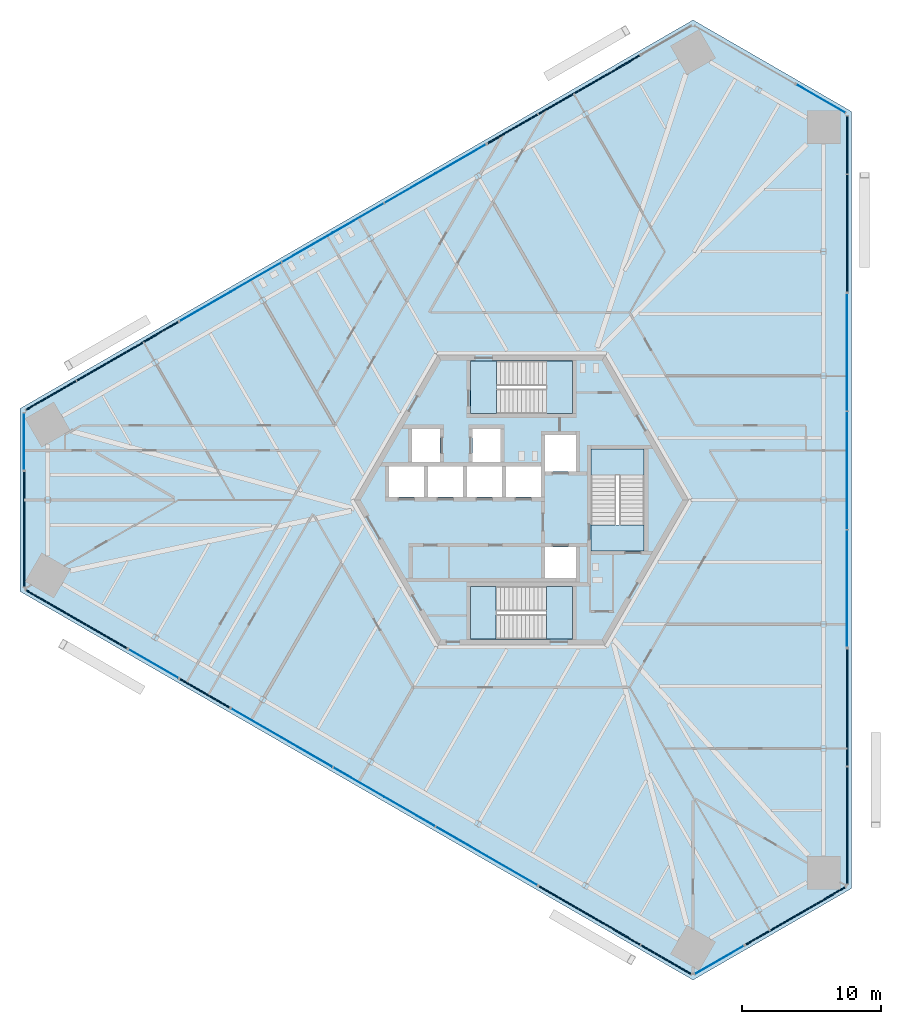
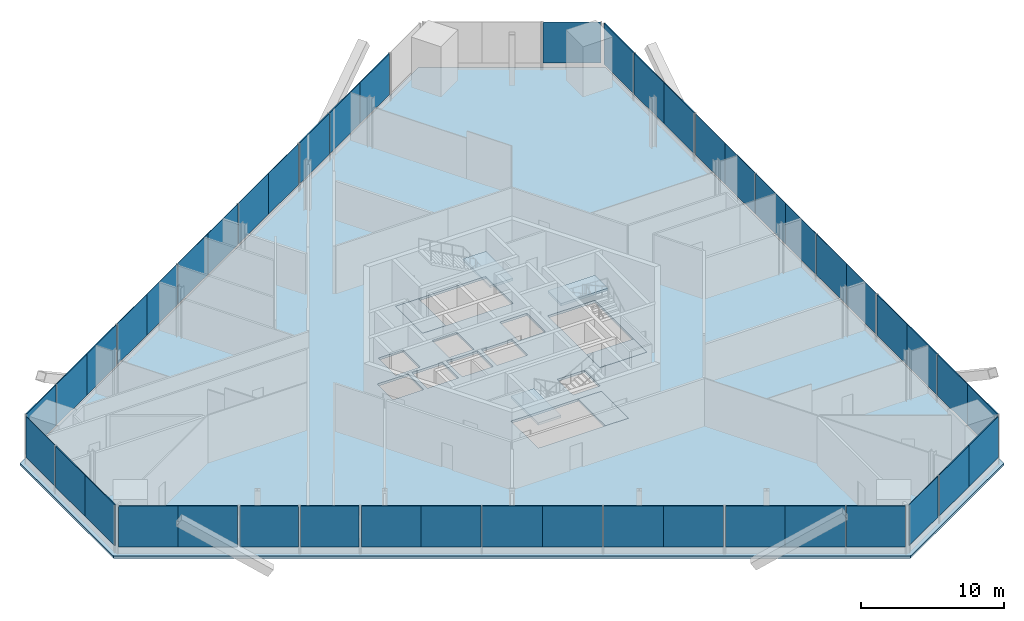
# One storey, part 9 of 17: 45 plates, 7 slabs, 19 elements without a shape of their own.
"""IFC4 building model written with IfcOpenShell, lengths in metres."""

from ifc_helpers import new_model, si_unit, direction, frame, origin, origin_2d, place, context, subcontext, project, spatial, polyline, rectangle, outline, extrude, source, transform, mapped, material, layer, layer_set, type_object, element, aggregate, save


model = new_model("IFC4")

# Units and contexts
model_context = context("Model", 3, precision=1e-05, world=origin(), true_north=direction((0.0, 1.0)))
body_context = subcontext(model_context, "Body", "Model", "MODEL_VIEW")
ifc_project = project(units=[si_unit("LENGTHUNIT", "METRE"), si_unit("AREAUNIT", "SQUARE_METRE"), si_unit("VOLUMEUNIT", "CUBIC_METRE"), si_unit("PLANEANGLEUNIT", "RADIAN"), si_unit("MASSUNIT", "GRAM", prefix="KILO")], contexts=[model_context])

# Site, building, storey
site_placement = place(None, origin())
site = spatial("IfcSite", under=ifc_project, at=site_placement, CompositionType="ELEMENT")
building_placement = place(site_placement, origin())
building = spatial("IfcBuilding", under=site, at=building_placement, Name="Triune Harvest Tower", CompositionType="ELEMENT")
storey_placement = place(building_placement, frame((0.0, 0.0, 46.10009765625)))
storey = spatial("IfcBuildingStorey", under=building, at=storey_placement, Name="L10", CompositionType="ELEMENT", Elevation=46.10009765625)

# Curtain wall, plate
ifc_material_1 = material(Name="Aluminium bronze anodised", Category="aluminium")
curtain_wall_type_1 = type_object("IfcCurtainWallType", Name="CW-3 Farm floor curtain wall", PredefinedType="NOTDEFINED", material=ifc_material_1)
curtain_wall_1_placement = place(storey_placement, origin())
curtain_wall_1 = element("IfcCurtainWall", 1, at=curtain_wall_1_placement, inside=storey, type_object=curtain_wall_type_1, Name="CW-3 B1-F5 L10 run 1001")
ifc_material_2 = material(Name="Glass", Category="glass")
ifc_layer_1 = layer(ifc_material_2, 0.035888671875)
ifc_layer_set_1 = layer_set([ifc_layer_1], Name="Glass")
plate_type_1 = type_object("IfcPlateType", Name="GL-3 panel 36", PredefinedType="CURTAIN_PANEL", material=ifc_layer_set_1)
plate_1_placement = place(storey_placement, frame((-26.40380859375, -11.74267578125, 0.599853515625), z_axis=(0.0, 0.0, 1.0), x_axis=(0.866021359287, -0.500007005209, 0.0)))
plate_1 = element("IfcPlate", 2, at=plate_1_placement, type_object=plate_type_1, Name="CW-3 panel B1-F5 1001.1", PredefinedType="CURTAIN_PANEL", context=body_context, shape_type="SweptSolid", body=[
    extrude(rectangle(XDim=4.088623046875, YDim=0.035888671875, at=origin_2d()), origin(), (0.0, 0.0, 1.0), 3.5),
])
aggregate(curtain_wall_1, [plate_1])

ifc_material_3 = material(Name="Aluminium bronze anodised", Category="aluminium")
curtain_wall_type_2 = type_object("IfcCurtainWallType", Name="CW-8 Farm floor curtain wall with insulated spandrel infill", PredefinedType="NOTDEFINED", material=ifc_material_3)
curtain_wall_2_placement = place(storey_placement, origin())
curtain_wall_2 = element("IfcCurtainWall", 3, at=curtain_wall_2_placement, inside=storey, type_object=curtain_wall_type_2, Name="CW-8 B1-F5 L10 run 2001")
ifc_material_4 = material(Name="Insulated spandrel panel, bronze aluminium pan", Category="aluminium")
ifc_layer_2 = layer(ifc_material_4, 0.080078125)
ifc_layer_set_2 = layer_set([ifc_layer_2], Name="Insulated spandrel panel, bronze aluminium pan")
plate_type_2 = type_object("IfcPlateType", Name="SP-1 insulated spandrel panel 80", PredefinedType="CURTAIN_PANEL", material=ifc_layer_set_2)
plate_2_placement = place(storey_placement, frame((-22.724365234375, -13.8671875, 0.599853515625), z_axis=(0.0, 0.0, 1.0), x_axis=(0.866021359287, -0.500007005209, 0.0)))
plate_2 = element("IfcPlate", 4, at=plate_2_placement, type_object=plate_type_2, Name="CW-8 panel B1-F5 2001.1", PredefinedType="CURTAIN_PANEL", context=body_context, shape_type="SweptSolid", body=[
    extrude(rectangle(XDim=4.088623046875, YDim=0.080078125, at=origin_2d()), origin(), (0.0, 0.0, 1.0), 3.5),
])
aggregate(curtain_wall_2, [plate_2])

# Slab
ifc_material_5 = material(Name="Concrete 40 MPa", Category="concrete")
ifc_layer_3 = layer(ifc_material_5, 0.199951171875)
ifc_layer_set_3 = layer_set([ifc_layer_3], Name="Concrete 40 MPa")
slab_type_1 = type_object("IfcSlabType", Name="SL-3 Composite floor slab 200", PredefinedType="FLOOR", material=ifc_layer_set_3)
shared_shape_1 = source(origin(), body_context, "Body", "SweptSolid", [
    extrude(outline(polyline([(23.67138671875, -27.8798828125), (23.67138671875, 27.8798828125), (12.30908203125, 34.43994140625), (-35.98046875, 6.56005859375), (-35.98046875, -6.56005859375), (12.30908203125, -34.43994140625), (23.67138671875, -27.8798828125)]), holes=[polyline([(-7.0, 0.2099609375), (-7.0, 2.409912109375), (-9.5, 2.409912109375), (-9.5, 0.2099609375), (-7.0, 0.2099609375)]), polyline([(-4.199951171875, 0.2099609375), (-4.199951171875, 2.409912109375), (-6.699951171875, 2.409912109375), (-6.699951171875, 0.2099609375), (-4.199951171875, 0.2099609375)]), polyline([(-1.39990234375, 0.2099609375), (-1.39990234375, 2.409912109375), (-3.89990234375, 2.409912109375), (-3.89990234375, 0.2099609375), (-1.39990234375, 0.2099609375)]), polyline([(1.39990234375, 0.2099609375), (1.39990234375, 2.409912109375), (-1.10009765625, 2.409912109375), (-1.10009765625, 0.2099609375), (1.39990234375, 0.2099609375)]), polyline([(3.89990234375, 2.06005859375), (3.89990234375, 4.659912109375), (1.699951171875, 4.659912109375), (1.699951171875, 2.06005859375), (3.89990234375, 2.06005859375)]), polyline([(3.89990234375, -5.590087890625), (3.89990234375, -3.389892578125), (1.699951171875, -3.389892578125), (1.699951171875, -5.590087890625), (3.89990234375, -5.590087890625)]), polyline([(-5.85009765625, 2.7099609375), (-5.85009765625, 5.110107421875), (-7.85009765625, 5.110107421875), (-7.85009765625, 2.7099609375), (-5.85009765625, 2.7099609375)]), polyline([(-1.5, 2.7099609375), (-1.5, 5.110107421875), (-3.5, 5.110107421875), (-3.5, 2.7099609375), (-1.5, 2.7099609375)]), polyline([(3.64990234375, 6.18994140625), (3.64990234375, 9.989990234375), (-3.64990234375, 9.989990234375), (-3.64990234375, 6.18994140625), (3.64990234375, 6.18994140625)]), polyline([(3.64990234375, -9.989990234375), (3.64990234375, -6.18994140625), (-3.64990234375, -6.18994140625), (-3.64990234375, -9.989990234375), (3.64990234375, -9.989990234375)]), polyline([(8.800048828125, -3.64990234375), (8.800048828125, 3.64990234375), (5.0, 3.64990234375), (5.0, -3.64990234375), (8.800048828125, -3.64990234375)])]), origin(), (0.0, 0.0, 1.0), 0.2001953125),
])
slab_1_placement = place(storey_placement, frame((0.0, 0.0, -0.2001953125)))
element("IfcSlab", 5, at=slab_1_placement, inside=storey, type_object=slab_type_1, Name="slab/L10/1", PredefinedType="FLOOR", context=body_context, shape_type="MappedRepresentation", body=[
    mapped(shared_shape_1, transform((0.0, 0.0, 0.0), scale=1.0)),
])

# Stair, slabs
ifc_material_6 = material(Name="Concrete 40 MPa", Category="concrete")
stair_type = type_object("IfcStairType", Name="Exit stair 1800 half turn", PredefinedType="HALF_TURN_STAIR", material=ifc_material_6)
stair_1_placement = place(storey_placement, origin())
stair_1 = element("IfcStair", 6, at=stair_1_placement, inside=storey, type_object=stair_type, Name="Exit stair north", PredefinedType="HALF_TURN_STAIR")
ifc_material_7 = material(Name="Concrete 40 MPa", Category="concrete")
ifc_layer_4 = layer(ifc_material_7, 0.199951171875)
ifc_layer_set_4 = layer_set([ifc_layer_4], Name="Concrete 40 MPa")
slab_type_2 = type_object("IfcSlabType", Name="Stair landing 200", PredefinedType="LANDING", material=ifc_layer_set_4)
shared_shape_2 = source(origin(), body_context, "Body", "SweptSolid", [
    extrude(outline(polyline([(1.81005859375, 6.18994140625), (3.64990234375, 6.18994140625), (3.64990234375, 9.989990234375), (1.81005859375, 9.989990234375), (1.81005859375, 6.18994140625)])), origin(), (0.0, 0.0, 1.0), 0.199951171875),
])
slab_2_placement = place(storey_placement, frame((0.0, 0.0, 1.949951171875)))
slab_2 = element("IfcSlab", 7, at=slab_2_placement, type_object=slab_type_2, Name="ST-1 landing 2", PredefinedType="LANDING", context=body_context, shape_type="MappedRepresentation", body=[
    mapped(shared_shape_2, transform((0.0, 0.0, 0.0), scale=1.0)),
])
shared_shape_3 = source(origin(), body_context, "Body", "SweptSolid", [
    extrude(outline(polyline([(-3.64990234375, 6.18994140625), (-1.780029296875, 6.18994140625), (-1.780029296875, 9.989990234375), (-3.64990234375, 9.989990234375), (-3.64990234375, 6.18994140625)])), origin(), (0.0, 0.0, 1.0), 0.2001953125),
])
slab_3_placement = place(storey_placement, frame((0.0, 0.0, -0.2001953125)))
slab_3 = element("IfcSlab", 8, at=slab_3_placement, type_object=slab_type_2, Name="ST-1 landing 1", PredefinedType="LANDING", context=body_context, shape_type="MappedRepresentation", body=[
    mapped(shared_shape_3, transform((0.0, 0.0, 0.0), scale=1.0)),
])
aggregate(stair_1, [slab_3, slab_2])

stair_2_placement = place(storey_placement, origin())
stair_2 = element("IfcStair", 9, at=stair_2_placement, inside=storey, type_object=stair_type, Name="Exit stair south", PredefinedType="HALF_TURN_STAIR")
shared_shape_4 = source(origin(), body_context, "Body", "SweptSolid", [
    extrude(outline(polyline([(-1.81005859375, -6.18994140625), (-3.64990234375, -6.18994140625), (-3.64990234375, -9.989990234375), (-1.81005859375, -9.989990234375), (-1.81005859375, -6.18994140625)])), origin(), (0.0, 0.0, 1.0), 0.199951171875),
])
slab_4_placement = place(storey_placement, frame((0.0, 0.0, 1.949951171875)))
slab_4 = element("IfcSlab", 10, at=slab_4_placement, type_object=slab_type_2, Name="ST-2 landing 2", PredefinedType="LANDING", context=body_context, shape_type="MappedRepresentation", body=[
    mapped(shared_shape_4, transform((0.0, 0.0, 0.0), scale=1.0)),
])
shared_shape_5 = source(origin(), body_context, "Body", "SweptSolid", [
    extrude(outline(polyline([(3.64990234375, -6.18994140625), (1.780029296875, -6.18994140625), (1.780029296875, -9.989990234375), (3.64990234375, -9.989990234375), (3.64990234375, -6.18994140625)])), origin(), (0.0, 0.0, 1.0), 0.2001953125),
])
slab_5_placement = place(storey_placement, frame((0.0, 0.0, -0.2001953125)))
slab_5 = element("IfcSlab", 11, at=slab_5_placement, type_object=slab_type_2, Name="ST-2 landing 1", PredefinedType="LANDING", context=body_context, shape_type="MappedRepresentation", body=[
    mapped(shared_shape_5, transform((0.0, 0.0, 0.0), scale=1.0)),
])
aggregate(stair_2, [slab_5, slab_4])

stair_3_placement = place(storey_placement, origin())
stair_3 = element("IfcStair", 12, at=stair_3_placement, inside=storey, type_object=stair_type, Name="Exit stair east", PredefinedType="HALF_TURN_STAIR")
shared_shape_6 = source(origin(), body_context, "Body", "SweptSolid", [
    extrude(outline(polyline([(8.800048828125, 1.81005859375), (8.800048828125, 3.64990234375), (5.0, 3.64990234375), (5.0, 1.81005859375), (8.800048828125, 1.81005859375)])), origin(), (0.0, 0.0, 1.0), 0.199951171875),
])
slab_6_placement = place(storey_placement, frame((0.0, 0.0, 1.949951171875)))
slab_6 = element("IfcSlab", 13, at=slab_6_placement, type_object=slab_type_2, Name="ST-3 landing 2", PredefinedType="LANDING", context=body_context, shape_type="MappedRepresentation", body=[
    mapped(shared_shape_6, transform((0.0, 0.0, 0.0), scale=1.0)),
])
shared_shape_7 = source(origin(), body_context, "Body", "SweptSolid", [
    extrude(outline(polyline([(8.800048828125, -3.64990234375), (8.800048828125, -1.780029296875), (5.0, -1.780029296875), (5.0, -3.64990234375), (8.800048828125, -3.64990234375)])), origin(), (0.0, 0.0, 1.0), 0.2001953125),
])
slab_7_placement = place(storey_placement, frame((0.0, 0.0, -0.2001953125)))
slab_7 = element("IfcSlab", 14, at=slab_7_placement, type_object=slab_type_2, Name="ST-3 landing 1", PredefinedType="LANDING", context=body_context, shape_type="MappedRepresentation", body=[
    mapped(shared_shape_7, transform((0.0, 0.0, 0.0), scale=1.0)),
])
aggregate(stair_3, [slab_7, slab_6])

# Curtain wall, plates
curtain_wall_3_placement = place(storey_placement, origin())
curtain_wall_3 = element("IfcCurtainWall", 15, at=curtain_wall_3_placement, inside=storey, type_object=curtain_wall_type_2, Name="CW-8 B1-F1 L10 run 1")
shared_shape_8 = source(origin(), body_context, "Body", "SweptSolid", [
    extrude(rectangle(XDim=4.168701171875, YDim=0.080078125, at=origin_2d()), origin(), (0.0, 0.0, 1.0), 3.5),
])
plate_3_placement = place(storey_placement, frame((23.371337890625, -25.452392578125, 0.599853515625), z_axis=(0.0, 0.0, 1.0), x_axis=(0.0, 1.0, 0.0)))
plate_3 = element("IfcPlate", 16, at=plate_3_placement, type_object=plate_type_2, Name="CW-8 panel B1-F1 1.1", PredefinedType="CURTAIN_PANEL", context=body_context, shape_type="MappedRepresentation", body=[
    mapped(shared_shape_8, transform((0.0, 0.0, 0.0), scale=1.0)),
])
plate_4_placement = place(storey_placement, frame((23.371337890625, -12.7861328125, 0.599853515625), z_axis=(0.0, 0.0, 1.0), x_axis=(0.0, 1.0, 0.0)))
plate_4 = element("IfcPlate", 17, at=plate_4_placement, type_object=plate_type_2, Name="CW-8 panel B1-F1 1.4", PredefinedType="CURTAIN_PANEL", context=body_context, shape_type="MappedRepresentation", body=[
    mapped(shared_shape_8, transform((0.0, 0.0, 0.0), scale=1.0)),
])

# Curtain wall, plate
curtain_wall_4_placement = place(storey_placement, origin())
curtain_wall_4 = element("IfcCurtainWall", 18, at=curtain_wall_4_placement, inside=storey, type_object=curtain_wall_type_2, Name="CW-8 B1-F1 L10 run 2001")
plate_5_placement = place(storey_placement, frame((23.371337890625, 17.034912109375, 0.599853515625), z_axis=(0.0, 0.0, 1.0), x_axis=(0.0, 1.0, 0.0)))
plate_5 = element("IfcPlate", 19, at=plate_5_placement, type_object=plate_type_2, Name="CW-8 panel B1-F1 2001.1", PredefinedType="CURTAIN_PANEL", context=body_context, shape_type="MappedRepresentation", body=[
    mapped(shared_shape_8, transform((0.0, 0.0, 0.0), scale=1.0)),
])

curtain_wall_5_placement = place(storey_placement, origin())
curtain_wall_5 = element("IfcCurtainWall", 20, at=curtain_wall_5_placement, inside=storey, type_object=curtain_wall_type_2, Name="CW-8 B1-F3 L10 run 1001")
plate_6_placement = place(storey_placement, frame((6.67724609375, 30.842041015625, 0.599853515625), z_axis=(0.0, 0.0, 1.0), x_axis=(-0.866024756493, -0.500001121139, 0.0)))
plate_6 = element("IfcPlate", 21, at=plate_6_placement, type_object=plate_type_2, Name="CW-8 panel B1-F3 1001.1", PredefinedType="CURTAIN_PANEL", context=body_context, shape_type="MappedRepresentation", body=[
    mapped(shared_shape_8, transform((0.0, 0.0, 0.0), scale=1.0)),
])

curtain_wall_6_placement = place(storey_placement, origin())
curtain_wall_6 = element("IfcCurtainWall", 22, at=curtain_wall_6_placement, inside=storey, type_object=curtain_wall_type_2, Name="CW-8 B1-F3 L10 run 3001")
plate_7_placement = place(storey_placement, frame((-26.4384765625, 11.72265625, 0.599853515625), z_axis=(0.0, 0.0, 1.0), x_axis=(-0.866025888008, -0.499999161299, 0.0)))
plate_7 = element("IfcPlate", 23, at=plate_7_placement, type_object=plate_type_2, Name="CW-8 panel B1-F3 3001.1", PredefinedType="CURTAIN_PANEL", context=body_context, shape_type="MappedRepresentation", body=[
    mapped(shared_shape_8, transform((0.0, 0.0, 0.0), scale=1.0)),
])

# Curtain wall, plates
curtain_wall_7_placement = place(storey_placement, origin())
curtain_wall_7 = element("IfcCurtainWall", 24, at=curtain_wall_7_placement, inside=storey, type_object=curtain_wall_type_2, Name="CW-8 B1-F5 L10 run 1")
plate_8_placement = place(storey_placement, frame((-33.728271484375, -7.513916015625, 0.599853515625), z_axis=(0.0, 0.0, 1.0), x_axis=(0.866028152342, -0.499995239328, 0.0)))
plate_8 = element("IfcPlate", 25, at=plate_8_placement, type_object=plate_type_2, Name="CW-8 panel B1-F5 1.1", PredefinedType="CURTAIN_PANEL", context=body_context, shape_type="MappedRepresentation", body=[
    mapped(shared_shape_8, transform((0.0, 0.0, 0.0), scale=1.0)),
])
plate_9_placement = place(storey_placement, frame((-30.117919921875, -9.598388671875, 0.599853515625), z_axis=(0.0, 0.0, 1.0), x_axis=(0.866028152342, -0.499995239328, 0.0)))
plate_9 = element("IfcPlate", 26, at=plate_9_placement, type_object=plate_type_2, Name="CW-8 panel B1-F5 1.2", PredefinedType="CURTAIN_PANEL", context=body_context, shape_type="MappedRepresentation", body=[
    mapped(shared_shape_8, transform((0.0, 0.0, 0.0), scale=1.0)),
])
aggregate(curtain_wall_7, [plate_8, plate_9])

# Curtain wall, plate
curtain_wall_8_placement = place(storey_placement, origin())
curtain_wall_8 = element("IfcCurtainWall", 27, at=curtain_wall_8_placement, inside=storey, type_object=curtain_wall_type_2, Name="CW-8 B1-F5 L10 run 4001")
plate_10_placement = place(storey_placement, frame((3.06689453125, -28.757568359375, 0.599853515625), z_axis=(0.0, 0.0, 1.0), x_axis=(0.866025888008, -0.499999161299, 0.0)))
plate_10 = element("IfcPlate", 28, at=plate_10_placement, type_object=plate_type_2, Name="CW-8 panel B1-F5 4001.1", PredefinedType="CURTAIN_PANEL", context=body_context, shape_type="MappedRepresentation", body=[
    mapped(shared_shape_8, transform((0.0, 0.0, 0.0), scale=1.0)),
])

# Plate
shared_shape_9 = source(origin(), body_context, "Body", "SweptSolid", [
    extrude(rectangle(XDim=4.208740234375, YDim=0.080078125, at=origin_2d()), origin(), (0.0, 0.0, 1.0), 3.5),
])
plate_11_placement = place(storey_placement, frame((23.371337890625, -21.263671875, 0.599853515625), z_axis=(0.0, 0.0, 1.0), x_axis=(0.0, 1.0, 0.0)))
plate_11 = element("IfcPlate", 29, at=plate_11_placement, type_object=plate_type_2, Name="CW-8 panel B1-F1 1.2", PredefinedType="CURTAIN_PANEL", context=body_context, shape_type="MappedRepresentation", body=[
    mapped(shared_shape_9, transform((0.0, 0.0, 0.0), scale=1.0)),
])

plate_12_placement = place(storey_placement, frame((23.371337890625, -16.974853515625, 0.599853515625), z_axis=(0.0, 0.0, 1.0), x_axis=(0.0, 1.0, 0.0)))
plate_12 = element("IfcPlate", 30, at=plate_12_placement, type_object=plate_type_2, Name="CW-8 panel B1-F1 1.3", PredefinedType="CURTAIN_PANEL", context=body_context, shape_type="MappedRepresentation", body=[
    mapped(shared_shape_9, transform((0.0, 0.0, 0.0), scale=1.0)),
])

aggregate(curtain_wall_3, [plate_3, plate_11, plate_12, plate_4])

plate_13_placement = place(storey_placement, frame((23.371337890625, 21.2236328125, 0.599853515625), z_axis=(0.0, 0.0, 1.0), x_axis=(0.0, 1.0, 0.0)))
plate_13 = element("IfcPlate", 31, at=plate_13_placement, type_object=plate_type_2, Name="CW-8 panel B1-F1 2001.2", PredefinedType="CURTAIN_PANEL", context=body_context, shape_type="MappedRepresentation", body=[
    mapped(shared_shape_9, transform((0.0, 0.0, 0.0), scale=1.0)),
])

plate_14_placement = place(storey_placement, frame((3.049560546875, 28.74755859375, 0.599853515625), z_axis=(0.0, 0.0, 1.0), x_axis=(-0.866024756493, -0.500001121139, 0.0)))
plate_14 = element("IfcPlate", 32, at=plate_14_placement, type_object=plate_type_2, Name="CW-8 panel B1-F3 1001.2", PredefinedType="CURTAIN_PANEL", context=body_context, shape_type="MappedRepresentation", body=[
    mapped(shared_shape_9, transform((0.0, 0.0, 0.0), scale=1.0)),
])

plate_15_placement = place(storey_placement, frame((-30.06591796875, 9.62841796875, 0.599853515625), z_axis=(0.0, 0.0, 1.0), x_axis=(-0.866025888008, -0.499999161299, 0.0)))
plate_15 = element("IfcPlate", 33, at=plate_15_placement, type_object=plate_type_2, Name="CW-8 panel B1-F3 3001.2", PredefinedType="CURTAIN_PANEL", context=body_context, shape_type="MappedRepresentation", body=[
    mapped(shared_shape_9, transform((0.0, 0.0, 0.0), scale=1.0)),
])

plate_16_placement = place(storey_placement, frame((6.694580078125, -30.85205078125, 0.599853515625), z_axis=(0.0, 0.0, 1.0), x_axis=(0.866025888008, -0.499999161299, 0.0)))
plate_16 = element("IfcPlate", 34, at=plate_16_placement, type_object=plate_type_2, Name="CW-8 panel B1-F5 4001.2", PredefinedType="CURTAIN_PANEL", context=body_context, shape_type="MappedRepresentation", body=[
    mapped(shared_shape_9, transform((0.0, 0.0, 0.0), scale=1.0)),
])

shared_shape_10 = source(origin(), body_context, "Body", "SweptSolid", [
    extrude(rectangle(XDim=4.128662109375, YDim=0.080078125, at=origin_2d()), origin(), (0.0, 0.0, 1.0), 3.5),
])
plate_17_placement = place(storey_placement, frame((23.371337890625, 25.472412109375, 0.599853515625), z_axis=(0.0, 0.0, 1.0), x_axis=(0.0, 1.0, 0.0)))
plate_17 = element("IfcPlate", 35, at=plate_17_placement, type_object=plate_type_2, Name="CW-8 panel B1-F1 2001.3", PredefinedType="CURTAIN_PANEL", context=body_context, shape_type="MappedRepresentation", body=[
    mapped(shared_shape_10, transform((0.0, 0.0, 0.0), scale=1.0)),
])

aggregate(curtain_wall_4, [plate_5, plate_13, plate_17])

plate_18_placement = place(storey_placement, frame((-0.6298828125, 26.623291015625, 0.599853515625), z_axis=(0.0, 0.0, 1.0), x_axis=(-0.866024756493, -0.500001121139, 0.0)))
plate_18 = element("IfcPlate", 36, at=plate_18_placement, type_object=plate_type_2, Name="CW-8 panel B1-F3 1001.3", PredefinedType="CURTAIN_PANEL", context=body_context, shape_type="MappedRepresentation", body=[
    mapped(shared_shape_10, transform((0.0, 0.0, 0.0), scale=1.0)),
])

aggregate(curtain_wall_5, [plate_6, plate_14, plate_18])

plate_19_placement = place(storey_placement, frame((-33.745361328125, 7.50390625, 0.599853515625), z_axis=(0.0, 0.0, 1.0), x_axis=(-0.866025888008, -0.499999161299, 0.0)))
plate_19 = element("IfcPlate", 37, at=plate_19_placement, type_object=plate_type_2, Name="CW-8 panel B1-F3 3001.3", PredefinedType="CURTAIN_PANEL", context=body_context, shape_type="MappedRepresentation", body=[
    mapped(shared_shape_10, transform((0.0, 0.0, 0.0), scale=1.0)),
])

aggregate(curtain_wall_6, [plate_7, plate_15, plate_19])

plate_20_placement = place(storey_placement, frame((10.3740234375, -32.976318359375, 0.599853515625), z_axis=(0.0, 0.0, 1.0), x_axis=(0.866025888008, -0.499999161299, 0.0)))
plate_20 = element("IfcPlate", 38, at=plate_20_placement, type_object=plate_type_2, Name="CW-8 panel B1-F5 4001.3", PredefinedType="CURTAIN_PANEL", context=body_context, shape_type="MappedRepresentation", body=[
    mapped(shared_shape_10, transform((0.0, 0.0, 0.0), scale=1.0)),
])

aggregate(curtain_wall_8, [plate_10, plate_16, plate_20])

# Curtain wall, plates
curtain_wall_9_placement = place(storey_placement, origin())
curtain_wall_9 = element("IfcCurtainWall", 39, at=curtain_wall_9_placement, inside=storey, type_object=curtain_wall_type_1, Name="CW-3 B1-F1 L10 run 1001")
shared_shape_11 = source(origin(), body_context, "Body", "SweptSolid", [
    extrude(rectangle(XDim=4.168701171875, YDim=0.035888671875, at=origin_2d()), origin(), (0.0, 0.0, 1.0), 3.5),
])
plate_21_placement = place(storey_placement, frame((23.371337890625, -8.45751953125, 0.599853515625), z_axis=(0.0, 0.0, 1.0), x_axis=(0.0, 1.0, 0.0)))
plate_21 = element("IfcPlate", 40, at=plate_21_placement, type_object=plate_type_1, Name="CW-3 panel B1-F1 1001.1", PredefinedType="CURTAIN_PANEL", context=body_context, shape_type="MappedRepresentation", body=[
    mapped(shared_shape_11, transform((0.0, 0.0, 0.0), scale=1.0)),
])
plate_22_placement = place(storey_placement, frame((23.371337890625, 12.706298828125, 0.599853515625), z_axis=(0.0, 0.0, 1.0), x_axis=(0.0, 1.0, 0.0)))
plate_22 = element("IfcPlate", 41, at=plate_22_placement, type_object=plate_type_1, Name="CW-3 panel B1-F1 1001.6", PredefinedType="CURTAIN_PANEL", context=body_context, shape_type="MappedRepresentation", body=[
    mapped(shared_shape_11, transform((0.0, 0.0, 0.0), scale=1.0)),
])

curtain_wall_10_placement = place(storey_placement, origin())
curtain_wall_10 = element("IfcCurtainWall", 42, at=curtain_wall_10_placement, inside=storey, type_object=curtain_wall_type_1, Name="CW-3 B1-F3 L10 run 2001")
plate_23_placement = place(storey_placement, frame((-4.361328125, 24.468994140625, 0.599853515625), z_axis=(0.0, 0.0, 1.0), x_axis=(-0.866025737186, -0.499999422532, 0.0)))
plate_23 = element("IfcPlate", 43, at=plate_23_placement, type_object=plate_type_1, Name="CW-3 panel B1-F3 2001.1", PredefinedType="CURTAIN_PANEL", context=body_context, shape_type="MappedRepresentation", body=[
    mapped(shared_shape_11, transform((0.0, 0.0, 0.0), scale=1.0)),
])
plate_24_placement = place(storey_placement, frame((-22.689697265625, 13.886962890625, 0.599853515625), z_axis=(0.0, 0.0, 1.0), x_axis=(-0.866025737186, -0.499999422532, 0.0)))
plate_24 = element("IfcPlate", 44, at=plate_24_placement, type_object=plate_type_1, Name="CW-3 panel B1-F3 2001.6", PredefinedType="CURTAIN_PANEL", context=body_context, shape_type="MappedRepresentation", body=[
    mapped(shared_shape_11, transform((0.0, 0.0, 0.0), scale=1.0)),
])

curtain_wall_11_placement = place(storey_placement, origin())
curtain_wall_11 = element("IfcCurtainWall", 45, at=curtain_wall_11_placement, inside=storey, type_object=curtain_wall_type_1, Name="CW-3 B1-F5 L10 run 3001")
plate_25_placement = place(storey_placement, frame((-19.010009765625, -16.011474609375, 0.599853515625), z_axis=(0.0, 0.0, 1.0), x_axis=(0.866025737186, -0.499999422532, 0.0)))
plate_25 = element("IfcPlate", 46, at=plate_25_placement, type_object=plate_type_1, Name="CW-3 panel B1-F5 3001.1", PredefinedType="CURTAIN_PANEL", context=body_context, shape_type="MappedRepresentation", body=[
    mapped(shared_shape_11, transform((0.0, 0.0, 0.0), scale=1.0)),
])
plate_26_placement = place(storey_placement, frame((-0.681884765625, -26.59326171875, 0.599853515625), z_axis=(0.0, 0.0, 1.0), x_axis=(0.866025737186, -0.499999422532, 0.0)))
plate_26 = element("IfcPlate", 47, at=plate_26_placement, type_object=plate_type_1, Name="CW-3 panel B1-F5 3001.6", PredefinedType="CURTAIN_PANEL", context=body_context, shape_type="MappedRepresentation", body=[
    mapped(shared_shape_11, transform((0.0, 0.0, 0.0), scale=1.0)),
])

# Plate
shared_shape_12 = source(origin(), body_context, "Body", "SweptSolid", [
    extrude(rectangle(XDim=4.208740234375, YDim=0.035888671875, at=origin_2d()), origin(), (0.0, 0.0, 1.0), 3.5),
])
plate_27_placement = place(storey_placement, frame((23.371337890625, -4.268798828125, 0.599853515625), z_axis=(0.0, 0.0, 1.0), x_axis=(0.0, 1.0, 0.0)))
plate_27 = element("IfcPlate", 48, at=plate_27_placement, type_object=plate_type_1, Name="CW-3 panel B1-F1 1001.2", PredefinedType="CURTAIN_PANEL", context=body_context, shape_type="MappedRepresentation", body=[
    mapped(shared_shape_12, transform((0.0, 0.0, 0.0), scale=1.0)),
])

plate_28_placement = place(storey_placement, frame((23.371337890625, 0.02001953125, 0.599853515625), z_axis=(0.0, 0.0, 1.0), x_axis=(0.0, 1.0, 0.0)))
plate_28 = element("IfcPlate", 49, at=plate_28_placement, type_object=plate_type_1, Name="CW-3 panel B1-F1 1001.3", PredefinedType="CURTAIN_PANEL", context=body_context, shape_type="MappedRepresentation", body=[
    mapped(shared_shape_12, transform((0.0, 0.0, 0.0), scale=1.0)),
])

plate_29_placement = place(storey_placement, frame((23.371337890625, 4.228759765625, 0.599853515625), z_axis=(0.0, 0.0, 1.0), x_axis=(0.0, 1.0, 0.0)))
plate_29 = element("IfcPlate", 50, at=plate_29_placement, type_object=plate_type_1, Name="CW-3 panel B1-F1 1001.4", PredefinedType="CURTAIN_PANEL", context=body_context, shape_type="MappedRepresentation", body=[
    mapped(shared_shape_12, transform((0.0, 0.0, 0.0), scale=1.0)),
])

plate_30_placement = place(storey_placement, frame((23.371337890625, 8.517578125, 0.599853515625), z_axis=(0.0, 0.0, 1.0), x_axis=(0.0, 1.0, 0.0)))
plate_30 = element("IfcPlate", 51, at=plate_30_placement, type_object=plate_type_1, Name="CW-3 panel B1-F1 1001.5", PredefinedType="CURTAIN_PANEL", context=body_context, shape_type="MappedRepresentation", body=[
    mapped(shared_shape_12, transform((0.0, 0.0, 0.0), scale=1.0)),
])

aggregate(curtain_wall_9, [plate_21, plate_27, plate_28, plate_29, plate_30, plate_22])

plate_31_placement = place(storey_placement, frame((-7.98876953125, 22.37451171875, 0.599853515625), z_axis=(0.0, 0.0, 1.0), x_axis=(-0.866025737186, -0.499999422532, 0.0)))
plate_31 = element("IfcPlate", 52, at=plate_31_placement, type_object=plate_type_1, Name="CW-3 panel B1-F3 2001.2", PredefinedType="CURTAIN_PANEL", context=body_context, shape_type="MappedRepresentation", body=[
    mapped(shared_shape_12, transform((0.0, 0.0, 0.0), scale=1.0)),
])

plate_32_placement = place(storey_placement, frame((-11.703125, 20.230224609375, 0.599853515625), z_axis=(0.0, 0.0, 1.0), x_axis=(-0.866025737186, -0.499999422532, 0.0)))
plate_32 = element("IfcPlate", 53, at=plate_32_placement, type_object=plate_type_1, Name="CW-3 panel B1-F3 2001.3", PredefinedType="CURTAIN_PANEL", context=body_context, shape_type="MappedRepresentation", body=[
    mapped(shared_shape_12, transform((0.0, 0.0, 0.0), scale=1.0)),
])

plate_33_placement = place(storey_placement, frame((-15.347900390625, 18.125732421875, 0.599853515625), z_axis=(0.0, 0.0, 1.0), x_axis=(-0.866025737186, -0.499999422532, 0.0)))
plate_33 = element("IfcPlate", 54, at=plate_33_placement, type_object=plate_type_1, Name="CW-3 panel B1-F3 2001.4", PredefinedType="CURTAIN_PANEL", context=body_context, shape_type="MappedRepresentation", body=[
    mapped(shared_shape_12, transform((0.0, 0.0, 0.0), scale=1.0)),
])

plate_34_placement = place(storey_placement, frame((-19.06201171875, 15.9814453125, 0.599853515625), z_axis=(0.0, 0.0, 1.0), x_axis=(-0.866025737186, -0.499999422532, 0.0)))
plate_34 = element("IfcPlate", 55, at=plate_34_placement, type_object=plate_type_1, Name="CW-3 panel B1-F3 2001.5", PredefinedType="CURTAIN_PANEL", context=body_context, shape_type="MappedRepresentation", body=[
    mapped(shared_shape_12, transform((0.0, 0.0, 0.0), scale=1.0)),
])

aggregate(curtain_wall_10, [plate_23, plate_31, plate_32, plate_33, plate_34, plate_24])

plate_35_placement = place(storey_placement, frame((-15.382568359375, -18.10595703125, 0.599853515625), z_axis=(0.0, 0.0, 1.0), x_axis=(0.866025737186, -0.499999422532, 0.0)))
plate_35 = element("IfcPlate", 56, at=plate_35_placement, type_object=plate_type_1, Name="CW-3 panel B1-F5 3001.2", PredefinedType="CURTAIN_PANEL", context=body_context, shape_type="MappedRepresentation", body=[
    mapped(shared_shape_12, transform((0.0, 0.0, 0.0), scale=1.0)),
])

plate_36_placement = place(storey_placement, frame((-11.66845703125, -20.250244140625, 0.599853515625), z_axis=(0.0, 0.0, 1.0), x_axis=(0.866025737186, -0.499999422532, 0.0)))
plate_36 = element("IfcPlate", 57, at=plate_36_placement, type_object=plate_type_1, Name="CW-3 panel B1-F5 3001.3", PredefinedType="CURTAIN_PANEL", context=body_context, shape_type="MappedRepresentation", body=[
    mapped(shared_shape_12, transform((0.0, 0.0, 0.0), scale=1.0)),
])

plate_37_placement = place(storey_placement, frame((-8.0234375, -22.3544921875, 0.599853515625), z_axis=(0.0, 0.0, 1.0), x_axis=(0.866025737186, -0.499999422532, 0.0)))
plate_37 = element("IfcPlate", 58, at=plate_37_placement, type_object=plate_type_1, Name="CW-3 panel B1-F5 3001.4", PredefinedType="CURTAIN_PANEL", context=body_context, shape_type="MappedRepresentation", body=[
    mapped(shared_shape_12, transform((0.0, 0.0, 0.0), scale=1.0)),
])

plate_38_placement = place(storey_placement, frame((-4.309326171875, -24.4990234375, 0.599853515625), z_axis=(0.0, 0.0, 1.0), x_axis=(0.866025737186, -0.499999422532, 0.0)))
plate_38 = element("IfcPlate", 59, at=plate_38_placement, type_object=plate_type_1, Name="CW-3 panel B1-F5 3001.5", PredefinedType="CURTAIN_PANEL", context=body_context, shape_type="MappedRepresentation", body=[
    mapped(shared_shape_12, transform((0.0, 0.0, 0.0), scale=1.0)),
])

aggregate(curtain_wall_11, [plate_25, plate_35, plate_36, plate_37, plate_38, plate_26])

# Curtain wall, plate
curtain_wall_12_placement = place(storey_placement, origin())
curtain_wall_12 = element("IfcCurtainWall", 60, at=curtain_wall_12_placement, inside=storey, type_object=curtain_wall_type_1, Name="CW-3 B1-F2 L10 run 1")
shared_shape_13 = source(origin(), body_context, "Body", "SweptSolid", [
    extrude(rectangle(XDim=4.037841796875, YDim=0.035888671875, at=origin_2d()), origin(), (0.0, 0.0, 1.0), 3.5),
])
plate_39_placement = place(storey_placement, frame((21.475830078125, 28.80126953125, 0.599853515625), z_axis=(0.0, 0.0, 1.0), x_axis=(-0.866028739203, 0.499994222841, 0.0)))
plate_39 = element("IfcPlate", 61, at=plate_39_placement, type_object=plate_type_1, Name="CW-3 panel B1-F2 1.1", PredefinedType="CURTAIN_PANEL", context=body_context, shape_type="MappedRepresentation", body=[
    mapped(shared_shape_13, transform((0.0, 0.0, 0.0), scale=1.0)),
])
aggregate(curtain_wall_12, [plate_39])

curtain_wall_13_placement = place(storey_placement, origin())
curtain_wall_13 = element("IfcCurtainWall", 62, at=curtain_wall_13_placement, inside=storey, type_object=curtain_wall_type_1, Name="CW-3 B1-F4 L10 run 1")
plate_40_placement = place(storey_placement, frame((-35.680419921875, 4.19775390625, 0.599853515625), z_axis=(0.0, 0.0, 1.0), x_axis=(0.0, -1.0, 0.0)))
plate_40 = element("IfcPlate", 63, at=plate_40_placement, type_object=plate_type_1, Name="CW-3 panel B1-F4 1.1", PredefinedType="CURTAIN_PANEL", context=body_context, shape_type="MappedRepresentation", body=[
    mapped(shared_shape_13, transform((0.0, 0.0, 0.0), scale=1.0)),
])
aggregate(curtain_wall_13, [plate_40])

curtain_wall_14_placement = place(storey_placement, origin())
curtain_wall_14 = element("IfcCurtainWall", 64, at=curtain_wall_14_placement, inside=storey, type_object=curtain_wall_type_1, Name="CW-3 B1-F6 L10 run 1")
plate_41_placement = place(storey_placement, frame((14.204833984375, -32.999267578125, 0.599853515625), z_axis=(0.0, 0.0, 1.0), x_axis=(0.866028739203, 0.499994222841, 0.0)))
plate_41 = element("IfcPlate", 65, at=plate_41_placement, type_object=plate_type_1, Name="CW-3 panel B1-F6 1.1", PredefinedType="CURTAIN_PANEL", context=body_context, shape_type="MappedRepresentation", body=[
    mapped(shared_shape_13, transform((0.0, 0.0, 0.0), scale=1.0)),
])
aggregate(curtain_wall_14, [plate_41])

# Curtain wall, plates
curtain_wall_15_placement = place(storey_placement, origin())
curtain_wall_15 = element("IfcCurtainWall", 66, at=curtain_wall_15_placement, inside=storey, type_object=curtain_wall_type_2, Name="CW-8 B1-F4 L10 run 1001")
shared_shape_14 = source(origin(), body_context, "Body", "SweptSolid", [
    extrude(rectangle(XDim=4.117919921875, YDim=0.080078125, at=origin_2d()), origin(), (0.0, 0.0, 1.0), 3.5),
])
plate_42_placement = place(storey_placement, frame((-35.680419921875, -0.0400390625, 0.599853515625), z_axis=(0.0, 0.0, 1.0), x_axis=(0.0, -1.0, 0.0)))
plate_42 = element("IfcPlate", 67, at=plate_42_placement, type_object=plate_type_2, Name="CW-8 panel B1-F4 1001.1", PredefinedType="CURTAIN_PANEL", context=body_context, shape_type="MappedRepresentation", body=[
    mapped(shared_shape_14, transform((0.0, 0.0, 0.0), scale=1.0)),
])
plate_43_placement = place(storey_placement, frame((-35.680419921875, -4.157958984375, 0.599853515625), z_axis=(0.0, 0.0, 1.0), x_axis=(0.0, -1.0, 0.0)))
plate_43 = element("IfcPlate", 68, at=plate_43_placement, type_object=plate_type_2, Name="CW-8 panel B1-F4 1001.2", PredefinedType="CURTAIN_PANEL", context=body_context, shape_type="MappedRepresentation", body=[
    mapped(shared_shape_14, transform((0.0, 0.0, 0.0), scale=1.0)),
])
aggregate(curtain_wall_15, [plate_42, plate_43])

curtain_wall_16_placement = place(storey_placement, origin())
curtain_wall_16 = element("IfcCurtainWall", 69, at=curtain_wall_16_placement, inside=storey, type_object=curtain_wall_type_2, Name="CW-8 B1-F6 L10 run 1001")
plate_44_placement = place(storey_placement, frame((17.875, -30.880126953125, 0.599853515625), z_axis=(0.0, 0.0, 1.0), x_axis=(0.866024848787, 0.500000961283, 0.0)))
plate_44 = element("IfcPlate", 70, at=plate_44_placement, type_object=plate_type_2, Name="CW-8 panel B1-F6 1001.1", PredefinedType="CURTAIN_PANEL", context=body_context, shape_type="MappedRepresentation", body=[
    mapped(shared_shape_14, transform((0.0, 0.0, 0.0), scale=1.0)),
])
plate_45_placement = place(storey_placement, frame((21.441162109375, -28.8212890625, 0.599853515625), z_axis=(0.0, 0.0, 1.0), x_axis=(0.866024848787, 0.500000961283, 0.0)))
plate_45 = element("IfcPlate", 71, at=plate_45_placement, type_object=plate_type_2, Name="CW-8 panel B1-F6 1001.2", PredefinedType="CURTAIN_PANEL", context=body_context, shape_type="MappedRepresentation", body=[
    mapped(shared_shape_14, transform((0.0, 0.0, 0.0), scale=1.0)),
])
aggregate(curtain_wall_16, [plate_44, plate_45])

save(model, "model.ifc")
